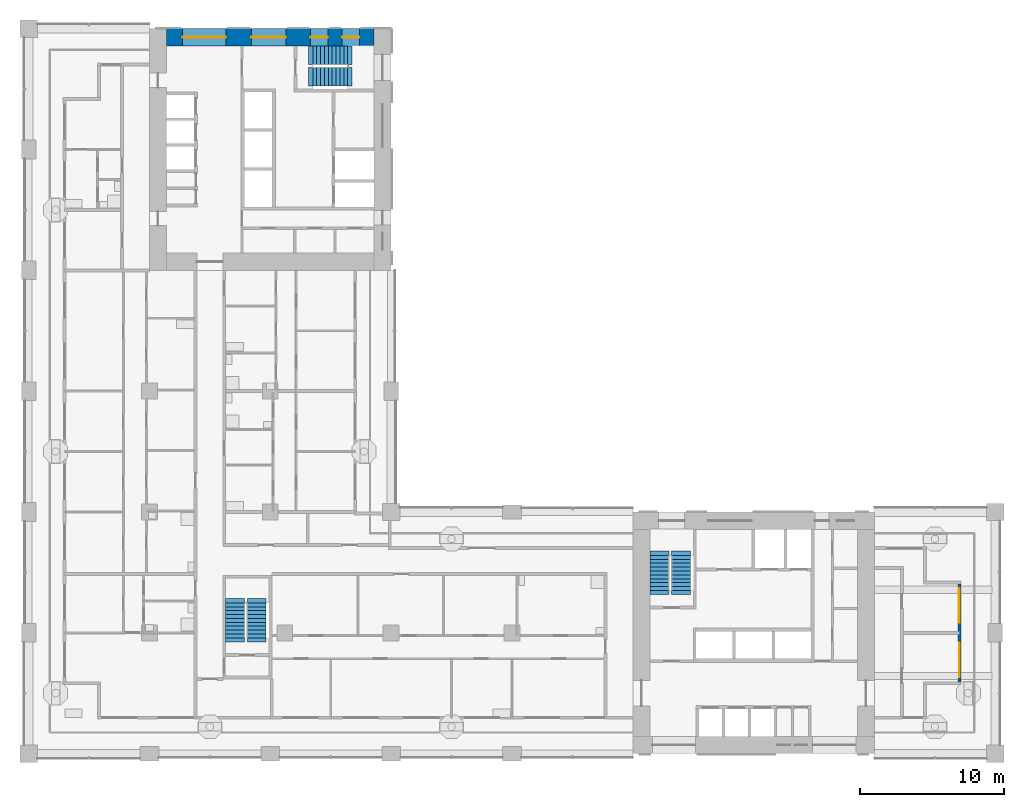
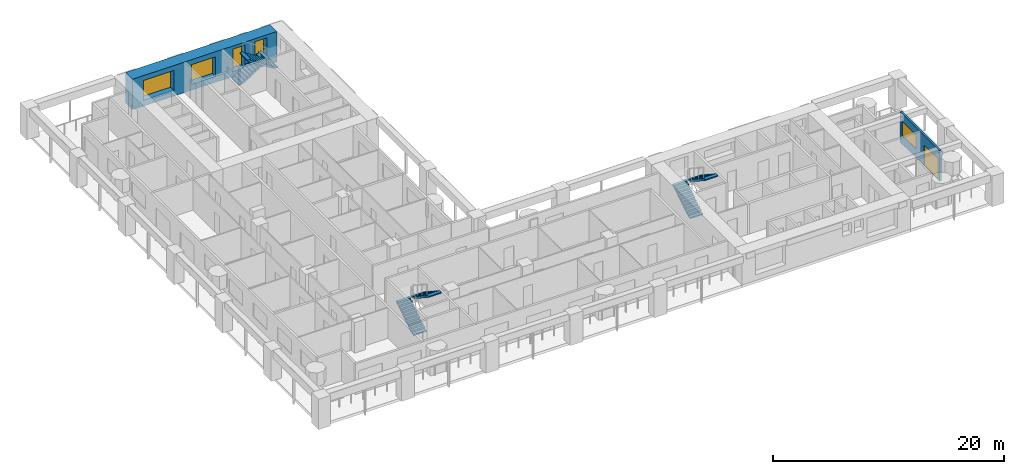
# One storey, part 8 of 18: 6 stair flights, 5 windows, 2 walls, 1 door, 6 openings, 3 elements without a shape of their own.
"""IFC4 building model written with IfcOpenShell, lengths in metres."""

from ifc_helpers import new_model, si_unit, direction, frame, frame_2d, origin, place, context, subcontext, project, spatial, polyline, rectangle, outline, extrude, material, layer, layer_set, type_object, element, fill, aggregate, save


model = new_model("IFC4")

# Units and contexts
model_context = context("Model", 3, precision=1e-05, world=origin(), true_north=direction((0.0, 1.0)))
body_context = subcontext(model_context, "Body", "Model", "MODEL_VIEW")
ifc_project = project(units=[si_unit("LENGTHUNIT", "METRE"), si_unit("AREAUNIT", "SQUARE_METRE"), si_unit("VOLUMEUNIT", "CUBIC_METRE"), si_unit("PLANEANGLEUNIT", "RADIAN"), si_unit("MASSUNIT", "GRAM", prefix="KILO")], contexts=[model_context])

# Site, building, storey
site_placement = place(None, origin())
site = spatial("IfcSite", under=ifc_project, at=site_placement, CompositionType="ELEMENT")
building_placement = place(site_placement, origin())
building = spatial("IfcBuilding", under=site, at=building_placement, Name="Vermilion Gate Residences", CompositionType="ELEMENT")
storey_placement = place(building_placement, frame((0.0, 0.0, 88.199951171875)))
storey = spatial("IfcBuildingStorey", under=building, at=storey_placement, Name="L21", CompositionType="ELEMENT", Elevation=88.199951171875)

# Wall, openings, door, window
ifc_material_1 = material(Name="Insulated steel stud wall with terracotta rainscreen", Category="masonry")
ifc_layer_1 = layer(ifc_material_1, 0.199951171875)
ifc_layer_set_1 = layer_set([ifc_layer_1], Name="EXTERNAL WALL 200 TERRACOTTA RAINSCREEN")
wall_type_1 = type_object("IfcWallType", Name="EXTERNAL WALL 200 TERRACOTTA RAINSCREEN", PredefinedType="SOLIDWALL", material=ifc_layer_set_1)
wall_1_placement = place(storey_placement, frame((64.699951171875, 13.39990234375, 0.0), z_axis=(0.0, 0.0, 1.0), x_axis=(0.0, 1.0, 0.0)))
wall_1 = element("IfcWall", 1, at=wall_1_placement, inside=storey, type_object=wall_type_1, Name="External wall", PredefinedType="SOLIDWALL", context=body_context, shape_type="SweptSolid", body=[
    extrude(rectangle(XDim=6.800048828125, YDim=0.199951171875, at=frame_2d((3.39990234375, 0.0))), origin(), (0.0, 0.0, 1.0), 3.219970703125),
])
opening_1_placement = place(wall_1_placement, frame((4.10009765625, 0.0, 0.89990234375)))
opening_1 = element("IfcOpeningElement", 2, at=opening_1_placement, cuts=wall_1, Name="Opening WE21022", PredefinedType="OPENING", context=body_context, shape_type="SweptSolid", body=[
    extrude(rectangle(XDim=2.39990234375, YDim=1.5, at=frame_2d((1.199951171875, 0.75))), frame((0.0, 0.10986328125, 0.0), z_axis=(0.0, -1.0, 0.0), x_axis=(1.0, 0.0, 0.0)), (0.0, 0.0, 1.0), 0.219970703125),
])
opening_2_placement = place(wall_1_placement, frame((0.300048828125, 0.0, 0.0)))
opening_2 = element("IfcOpeningElement", 3, at=opening_2_placement, cuts=wall_1, Name="Opening DE21028", PredefinedType="OPENING", context=body_context, shape_type="SweptSolid", body=[
    extrude(rectangle(XDim=2.39990234375, YDim=2.199951171875, at=frame_2d((1.199951171875, 1.10009765625))), frame((0.0, 0.10986328125, 0.0), z_axis=(0.0, -1.0, 0.0), x_axis=(1.0, 0.0, 0.0)), (0.0, 0.0, 1.0), 0.219970703125),
])
ifc_material_2 = material(Name="Aluminium and clear glass", Category="aluminium")
door_type = type_object("IfcDoorType", Name="SLIDING GLAZED DOOR 2400 X 2200", OperationType="DOUBLE_DOOR_SLIDING", PredefinedType="DOOR", material=ifc_material_2)
door_placement = place(opening_2_placement, origin())
door = element("IfcDoor", 4, at=door_placement, inside=storey, type_object=door_type, Name="Loggia sliding door", OperationType="DOUBLE_DOOR_SLIDING", OverallHeight=2.199951171875, OverallWidth=2.39990234375, PredefinedType="DOOR", context=body_context, shape_type="SweptSolid", body=[
    extrude(rectangle(XDim=2.39990234375, YDim=2.199951171875, at=frame_2d((1.199951171875, 1.10009765625))), frame((0.0, 0.02490234375, 0.0), z_axis=(0.0, -1.0, 0.0), x_axis=(1.0, 0.0, 0.0)), (0.0, 0.0, 1.0), 0.050048828125),
])
fill(opening_2, door)
ifc_material_3 = material(Name="Aluminium and clear glass", Category="aluminium")
window_type_1 = type_object("IfcWindowType", Name="WINDOW 2400 X 1500", PartitioningType="SINGLE_PANEL", PredefinedType="WINDOW", material=ifc_material_3)
window_1_placement = place(opening_1_placement, origin())
window_1 = element("IfcWindow", 5, at=window_1_placement, inside=storey, type_object=window_type_1, Name="Window", OverallHeight=1.5, OverallWidth=2.39990234375, PartitioningType="SINGLE_PANEL", PredefinedType="WINDOW", context=body_context, shape_type="SweptSolid", body=[
    extrude(rectangle(XDim=2.39990234375, YDim=1.5, at=frame_2d((1.199951171875, 0.75))), frame((0.0, 0.030029296875, 0.0), z_axis=(0.0, -1.0, 0.0), x_axis=(1.0, 0.0, 0.0)), (0.0, 0.0, 1.0), 0.06005859375),
])
fill(opening_1, window_1)

# Wall, openings, windows
ifc_material_4 = material(Name="Concrete C70 red-oxide pigmented", Category="concrete")
ifc_layer_2 = layer(ifc_material_4, 1.199951171875)
ifc_layer_set_2 = layer_set([ifc_layer_2], Name="RC CORE WALL 1200 C70 RED OXIDE")
wall_type_2 = type_object("IfcWallType", Name="RC CORE WALL 1200 C70 RED OXIDE", PredefinedType="SHEAR", material=ifc_layer_set_2)
wall_2_placement = place(storey_placement, frame((9.60009765625, 58.199951171875, 0.0), z_axis=(0.0, 0.0, 1.0), x_axis=(1.0, 0.0, 0.0)))
wall_2 = element("IfcWall", 6, at=wall_2_placement, inside=storey, type_object=wall_type_2, Name="Core wall B21-OUT-FR", PredefinedType="SHEAR", context=body_context, shape_type="SweptSolid", body=[
    extrude(rectangle(XDim=14.39990234375, YDim=1.199951171875, at=frame_2d((7.199951171875, 0.0))), origin(), (0.0, 0.0, 1.0), 3.219970703125),
])
opening_3_placement = place(wall_2_placement, frame((1.10498046875, 0.0, 0.60009765625)))
opening_3 = element("IfcOpeningElement", 7, at=opening_3_placement, cuts=wall_2, Name="Opening WKB2105", PredefinedType="OPENING", context=body_context, shape_type="SweptSolid", body=[
    extrude(rectangle(XDim=3.0, YDim=2.10009765625, at=frame_2d((1.5, 1.050048828125))), frame((0.0, 0.60986328125, 0.0), z_axis=(0.0, -1.0, 0.0), x_axis=(1.0, 0.0, 0.0)), (0.0, 0.0, 1.0), 1.219970703125),
])
opening_4_placement = place(wall_2_placement, frame((5.875, 0.0, 0.60009765625)))
opening_4 = element("IfcOpeningElement", 8, at=opening_4_placement, cuts=wall_2, Name="Opening WKB2106", PredefinedType="OPENING", context=body_context, shape_type="SweptSolid", body=[
    extrude(rectangle(XDim=2.39990234375, YDim=2.10009765625, at=frame_2d((1.199951171875, 1.050048828125))), frame((0.0, 0.60986328125, 0.0), z_axis=(0.0, -1.0, 0.0), x_axis=(1.0, 0.0, 0.0)), (0.0, 0.0, 1.0), 1.219970703125),
])
opening_5_placement = place(wall_2_placement, frame((9.993408203125, 0.0, 0.5)))
opening_5 = element("IfcOpeningElement", 9, at=opening_5_placement, cuts=wall_2, Name="Opening WKB2107", PredefinedType="OPENING", context=body_context, shape_type="SweptSolid", body=[
    extrude(rectangle(XDim=1.199951171875, YDim=2.39990234375, at=frame_2d((0.60009765625, 1.199951171875))), frame((0.0, 0.60986328125, 0.0), z_axis=(0.0, -1.0, 0.0), x_axis=(1.0, 0.0, 0.0)), (0.0, 0.0, 1.0), 1.219970703125),
])
opening_6_placement = place(wall_2_placement, frame((12.19677734375, 0.0, 0.5)))
opening_6 = element("IfcOpeningElement", 10, at=opening_6_placement, cuts=wall_2, Name="Opening WKB2108", PredefinedType="OPENING", context=body_context, shape_type="SweptSolid", body=[
    extrude(rectangle(XDim=1.199951171875, YDim=2.39990234375, at=frame_2d((0.60009765625, 1.199951171875))), frame((0.0, 0.60986328125, 0.0), z_axis=(0.0, -1.0, 0.0), x_axis=(1.0, 0.0, 0.0)), (0.0, 0.0, 1.0), 1.219970703125),
])
ifc_material_5 = material(Name="Aluminium and clear glass", Category="aluminium")
window_type_2 = type_object("IfcWindowType", Name="CORE LOBBY WINDOW 2400 X 2100", PartitioningType="SINGLE_PANEL", PredefinedType="WINDOW", material=ifc_material_5)
window_2_placement = place(opening_4_placement, origin())
window_2 = element("IfcWindow", 11, at=window_2_placement, inside=storey, type_object=window_type_2, Name="Core lobby window", OverallHeight=2.10009765625, OverallWidth=2.39990234375, PartitioningType="SINGLE_PANEL", PredefinedType="WINDOW", context=body_context, shape_type="SweptSolid", body=[
    extrude(rectangle(XDim=2.39990234375, YDim=2.10009765625, at=frame_2d((1.199951171875, 1.050048828125))), frame((0.0, 0.030029296875, 0.0), z_axis=(0.0, -1.0, 0.0), x_axis=(1.0, 0.0, 0.0)), (0.0, 0.0, 1.0), 0.06005859375),
])
fill(opening_4, window_2)
ifc_material_6 = material(Name="Aluminium and clear glass", Category="aluminium")
window_type_3 = type_object("IfcWindowType", Name="CORE LOBBY WINDOW 3000 X 2100", PartitioningType="SINGLE_PANEL", PredefinedType="WINDOW", material=ifc_material_6)
window_3_placement = place(opening_3_placement, origin())
window_3 = element("IfcWindow", 12, at=window_3_placement, inside=storey, type_object=window_type_3, Name="Core lobby window", OverallHeight=2.10009765625, OverallWidth=3.0, PartitioningType="SINGLE_PANEL", PredefinedType="WINDOW", context=body_context, shape_type="SweptSolid", body=[
    extrude(rectangle(XDim=3.0, YDim=2.10009765625, at=frame_2d((1.5, 1.050048828125))), frame((0.0, 0.030029296875, 0.0), z_axis=(0.0, -1.0, 0.0), x_axis=(1.0, 0.0, 0.0)), (0.0, 0.0, 1.0), 0.06005859375),
])
fill(opening_3, window_3)
ifc_material_7 = material(Name="Aluminium and clear glass", Category="aluminium")
window_type_4 = type_object("IfcWindowType", Name="CORE STAIR WINDOW 1200 X 2400", PartitioningType="SINGLE_PANEL", PredefinedType="WINDOW", material=ifc_material_7)
window_4_placement = place(opening_5_placement, origin())
window_4 = element("IfcWindow", 13, at=window_4_placement, inside=storey, type_object=window_type_4, Name="Core stair window", OverallHeight=2.39990234375, OverallWidth=1.199951171875, PartitioningType="SINGLE_PANEL", PredefinedType="WINDOW", context=body_context, shape_type="SweptSolid", body=[
    extrude(rectangle(XDim=1.199951171875, YDim=2.39990234375, at=frame_2d((0.60009765625, 1.199951171875))), frame((0.0, 0.030029296875, 0.0), z_axis=(0.0, -1.0, 0.0), x_axis=(1.0, 0.0, 0.0)), (0.0, 0.0, 1.0), 0.06005859375),
])
fill(opening_5, window_4)
window_5_placement = place(opening_6_placement, origin())
window_5 = element("IfcWindow", 14, at=window_5_placement, inside=storey, type_object=window_type_4, Name="Core stair window", OverallHeight=2.39990234375, OverallWidth=1.199951171875, PartitioningType="SINGLE_PANEL", PredefinedType="WINDOW", context=body_context, shape_type="SweptSolid", body=[
    extrude(rectangle(XDim=1.199951171875, YDim=2.39990234375, at=frame_2d((0.60009765625, 1.199951171875))), frame((0.0, 0.030029296875, 0.0), z_axis=(0.0, -1.0, 0.0), x_axis=(1.0, 0.0, 0.0)), (0.0, 0.0, 1.0), 0.06005859375),
])
fill(opening_6, window_5)

# Stair, stair flights
ifc_material_8 = material(Name="Concrete C50", Category="concrete")
stair_type = type_object("IfcStairType", Name="SPECIAL ESCAPE STAIR 1300", PredefinedType="HALF_TURN_STAIR", material=ifc_material_8)
stair_1_placement = place(storey_placement, origin())
stair_1 = element("IfcStair", 15, at=stair_1_placement, inside=storey, type_object=stair_type, Name="Special escape stair STA1-21", PredefinedType="HALF_TURN_STAIR")
ifc_material_9 = material(Name="Concrete C50", Category="concrete")
stair_flight_type = type_object("IfcStairFlightType", Name="STAIR FLIGHT 1300 RC C50", PredefinedType="STRAIGHT", material=ifc_material_9)
stair_flight_1_placement = place(storey_placement, frame((43.85009765625, 19.75, 0.0), z_axis=(0.0, 0.0, 1.0), x_axis=(0.0, 1.0, 0.0)))
stair_flight_1 = element("IfcStairFlight", 16, at=stair_flight_1_placement, type_object=stair_flight_type, Name="STA1-21 flight 1", NumberOfRisers=10, NumberOfTreads=9, PredefinedType="STRAIGHT", RiserHeight=0.175, TreadLength=0.27, context=body_context, shape_type="SweptSolid", body=[
    extrude(outline(polyline([(-0.300048828125, -0.14990234375), (-0.300048828125, -0.030029296875), (0.0, 0.0), (0.0, 0.175048828125), (0.27001953125, 0.175048828125), (0.27001953125, 0.35009765625), (0.5400390625, 0.35009765625), (0.5400390625, 0.52490234375), (0.81005859375, 0.52490234375), (0.81005859375, 0.699951171875), (1.080078125, 0.699951171875), (1.080078125, 0.875), (1.35009765625, 0.875), (1.35009765625, 1.050048828125), (1.6201171875, 1.050048828125), (1.6201171875, 1.22509765625), (1.889892578125, 1.22509765625), (1.889892578125, 1.39990234375), (2.159912109375, 1.39990234375), (2.159912109375, 1.574951171875), (2.429931640625, 1.574951171875), (2.429931640625, 1.75), (2.72998046875, 1.719970703125), (2.72998046875, 1.60009765625), (2.429931640625, 1.396484375), (0.275634765625, 0.0), (-0.300048828125, -0.14990234375)])), frame((0.0, 0.64990234375, 0.0), z_axis=(0.0, -1.0, 0.0), x_axis=(1.0, 0.0, 0.0)), (0.0, 0.0, 1.0), 1.300048828125),
])
stair_flight_2_placement = place(storey_placement, frame((45.35009765625, 22.179931640625, 1.75), z_axis=(0.0, 0.0, 1.0), x_axis=(0.0, -1.0, 0.0)))
stair_flight_2 = element("IfcStairFlight", 17, at=stair_flight_2_placement, type_object=stair_flight_type, Name="STA1-21 flight 2", NumberOfRisers=10, NumberOfTreads=9, PredefinedType="STRAIGHT", RiserHeight=0.175, TreadLength=0.27, context=body_context, shape_type="SweptSolid", body=[
    extrude(outline(polyline([(-0.300048828125, -0.14990234375), (-0.300048828125, -0.030029296875), (0.0, 0.0), (0.0, 0.175048828125), (0.27001953125, 0.175048828125), (0.27001953125, 0.35009765625), (0.5400390625, 0.35009765625), (0.5400390625, 0.52490234375), (0.81005859375, 0.52490234375), (0.81005859375, 0.699951171875), (1.080078125, 0.699951171875), (1.080078125, 0.875), (1.35009765625, 0.875), (1.35009765625, 1.050048828125), (1.6201171875, 1.050048828125), (1.6201171875, 1.22509765625), (1.889892578125, 1.22509765625), (1.889892578125, 1.39990234375), (2.159912109375, 1.39990234375), (2.159912109375, 1.574951171875), (2.429931640625, 1.574951171875), (2.429931640625, 1.75), (2.72998046875, 1.719970703125), (2.72998046875, 1.60009765625), (2.429931640625, 1.396484375), (0.275634765625, 0.0), (-0.300048828125, -0.14990234375)])), frame((0.0, 0.64990234375, 0.0), z_axis=(0.0, -1.0, 0.0), x_axis=(1.0, 0.0, 0.0)), (0.0, 0.0, 1.0), 1.300048828125),
])
aggregate(stair_1, [stair_flight_1, stair_flight_2])

stair_2_placement = place(storey_placement, origin())
stair_2 = element("IfcStair", 18, at=stair_2_placement, inside=storey, type_object=stair_type, Name="Special escape stair STB1-21", PredefinedType="HALF_TURN_STAIR")
stair_flight_3_placement = place(storey_placement, frame((19.75, 56.949951171875, 0.0), z_axis=(0.0, 0.0, 1.0), x_axis=(1.0, 0.0, 0.0)))
stair_flight_3 = element("IfcStairFlight", 19, at=stair_flight_3_placement, type_object=stair_flight_type, Name="STB1-21 flight 1", NumberOfRisers=10, NumberOfTreads=9, PredefinedType="STRAIGHT", RiserHeight=0.175, TreadLength=0.27, context=body_context, shape_type="SweptSolid", body=[
    extrude(outline(polyline([(-0.300048828125, -0.14990234375), (-0.300048828125, -0.030029296875), (0.0, 0.0), (0.0, 0.175048828125), (0.27001953125, 0.175048828125), (0.27001953125, 0.35009765625), (0.5400390625, 0.35009765625), (0.5400390625, 0.52490234375), (0.81005859375, 0.52490234375), (0.81005859375, 0.699951171875), (1.080078125, 0.699951171875), (1.080078125, 0.875), (1.35009765625, 0.875), (1.35009765625, 1.050048828125), (1.6201171875, 1.050048828125), (1.6201171875, 1.22509765625), (1.889892578125, 1.22509765625), (1.889892578125, 1.39990234375), (2.159912109375, 1.39990234375), (2.159912109375, 1.574951171875), (2.429931640625, 1.574951171875), (2.429931640625, 1.75), (2.72998046875, 1.719970703125), (2.72998046875, 1.60009765625), (2.429931640625, 1.396484375), (0.275634765625, 0.0), (-0.300048828125, -0.14990234375)])), frame((0.0, 0.64990234375, 0.0), z_axis=(0.0, -1.0, 0.0), x_axis=(1.0, 0.0, 0.0)), (0.0, 0.0, 1.0), 1.300048828125),
])
stair_flight_4_placement = place(storey_placement, frame((22.179931640625, 55.449951171875, 1.75), z_axis=(0.0, 0.0, 1.0), x_axis=(-1.0, 0.0, 0.0)))
stair_flight_4 = element("IfcStairFlight", 20, at=stair_flight_4_placement, type_object=stair_flight_type, Name="STB1-21 flight 2", NumberOfRisers=10, NumberOfTreads=9, PredefinedType="STRAIGHT", RiserHeight=0.175, TreadLength=0.27, context=body_context, shape_type="SweptSolid", body=[
    extrude(outline(polyline([(-0.300048828125, -0.14990234375), (-0.300048828125, -0.030029296875), (0.0, 0.0), (0.0, 0.175048828125), (0.27001953125, 0.175048828125), (0.27001953125, 0.35009765625), (0.5400390625, 0.35009765625), (0.5400390625, 0.52490234375), (0.81005859375, 0.52490234375), (0.81005859375, 0.699951171875), (1.080078125, 0.699951171875), (1.080078125, 0.875), (1.35009765625, 0.875), (1.35009765625, 1.050048828125), (1.6201171875, 1.050048828125), (1.6201171875, 1.22509765625), (1.889892578125, 1.22509765625), (1.889892578125, 1.39990234375), (2.159912109375, 1.39990234375), (2.159912109375, 1.574951171875), (2.429931640625, 1.574951171875), (2.429931640625, 1.75), (2.72998046875, 1.719970703125), (2.72998046875, 1.60009765625), (2.429931640625, 1.396484375), (0.275634765625, 0.0), (-0.300048828125, -0.14990234375)])), frame((0.0, 0.64990234375, 0.0), z_axis=(0.0, -1.0, 0.0), x_axis=(1.0, 0.0, 0.0)), (0.0, 0.0, 1.0), 1.300048828125),
])
aggregate(stair_2, [stair_flight_3, stair_flight_4])

stair_3_placement = place(storey_placement, origin())
stair_3 = element("IfcStair", 21, at=stair_3_placement, inside=storey, type_object=stair_type, Name="Special escape stair STC1-21", PredefinedType="HALF_TURN_STAIR")
stair_flight_5_placement = place(storey_placement, frame((14.35009765625, 16.449951171875, 0.0), z_axis=(0.0, 0.0, 1.0), x_axis=(0.0, 1.0, 0.0)))
stair_flight_5 = element("IfcStairFlight", 22, at=stair_flight_5_placement, type_object=stair_flight_type, Name="STC1-21 flight 1", NumberOfRisers=10, NumberOfTreads=9, PredefinedType="STRAIGHT", RiserHeight=0.175, TreadLength=0.27, context=body_context, shape_type="SweptSolid", body=[
    extrude(outline(polyline([(-0.300048828125, -0.14990234375), (-0.300048828125, -0.030029296875), (0.0, 0.0), (0.0, 0.175048828125), (0.27001953125, 0.175048828125), (0.27001953125, 0.35009765625), (0.5400390625, 0.35009765625), (0.5400390625, 0.52490234375), (0.81005859375, 0.52490234375), (0.81005859375, 0.699951171875), (1.080078125, 0.699951171875), (1.080078125, 0.875), (1.35009765625, 0.875), (1.35009765625, 1.050048828125), (1.6201171875, 1.050048828125), (1.6201171875, 1.22509765625), (1.889892578125, 1.22509765625), (1.889892578125, 1.39990234375), (2.159912109375, 1.39990234375), (2.159912109375, 1.574951171875), (2.429931640625, 1.574951171875), (2.429931640625, 1.75), (2.72998046875, 1.719970703125), (2.72998046875, 1.60009765625), (2.429931640625, 1.396484375), (0.275634765625, 0.0), (-0.300048828125, -0.14990234375)])), frame((0.0, 0.64990234375, 0.0), z_axis=(0.0, -1.0, 0.0), x_axis=(1.0, 0.0, 0.0)), (0.0, 0.0, 1.0), 1.300048828125),
])
stair_flight_6_placement = place(storey_placement, frame((15.85009765625, 18.8798828125, 1.75), z_axis=(0.0, 0.0, 1.0), x_axis=(0.0, -1.0, 0.0)))
stair_flight_6 = element("IfcStairFlight", 23, at=stair_flight_6_placement, type_object=stair_flight_type, Name="STC1-21 flight 2", NumberOfRisers=10, NumberOfTreads=9, PredefinedType="STRAIGHT", RiserHeight=0.175, TreadLength=0.27, context=body_context, shape_type="SweptSolid", body=[
    extrude(outline(polyline([(-0.300048828125, -0.14990234375), (-0.300048828125, -0.030029296875), (0.0, 0.0), (0.0, 0.175048828125), (0.27001953125, 0.175048828125), (0.27001953125, 0.35009765625), (0.5400390625, 0.35009765625), (0.5400390625, 0.52490234375), (0.81005859375, 0.52490234375), (0.81005859375, 0.699951171875), (1.080078125, 0.699951171875), (1.080078125, 0.875), (1.35009765625, 0.875), (1.35009765625, 1.050048828125), (1.6201171875, 1.050048828125), (1.6201171875, 1.22509765625), (1.889892578125, 1.22509765625), (1.889892578125, 1.39990234375), (2.159912109375, 1.39990234375), (2.159912109375, 1.574951171875), (2.429931640625, 1.574951171875), (2.429931640625, 1.75), (2.72998046875, 1.719970703125), (2.72998046875, 1.60009765625), (2.429931640625, 1.396484375), (0.275634765625, 0.0), (-0.300048828125, -0.14990234375)])), frame((0.0, 0.64990234375, 0.0), z_axis=(0.0, -1.0, 0.0), x_axis=(1.0, 0.0, 0.0)), (0.0, 0.0, 1.0), 1.300048828125),
])
aggregate(stair_3, [stair_flight_5, stair_flight_6])

save(model, "model.ifc")
